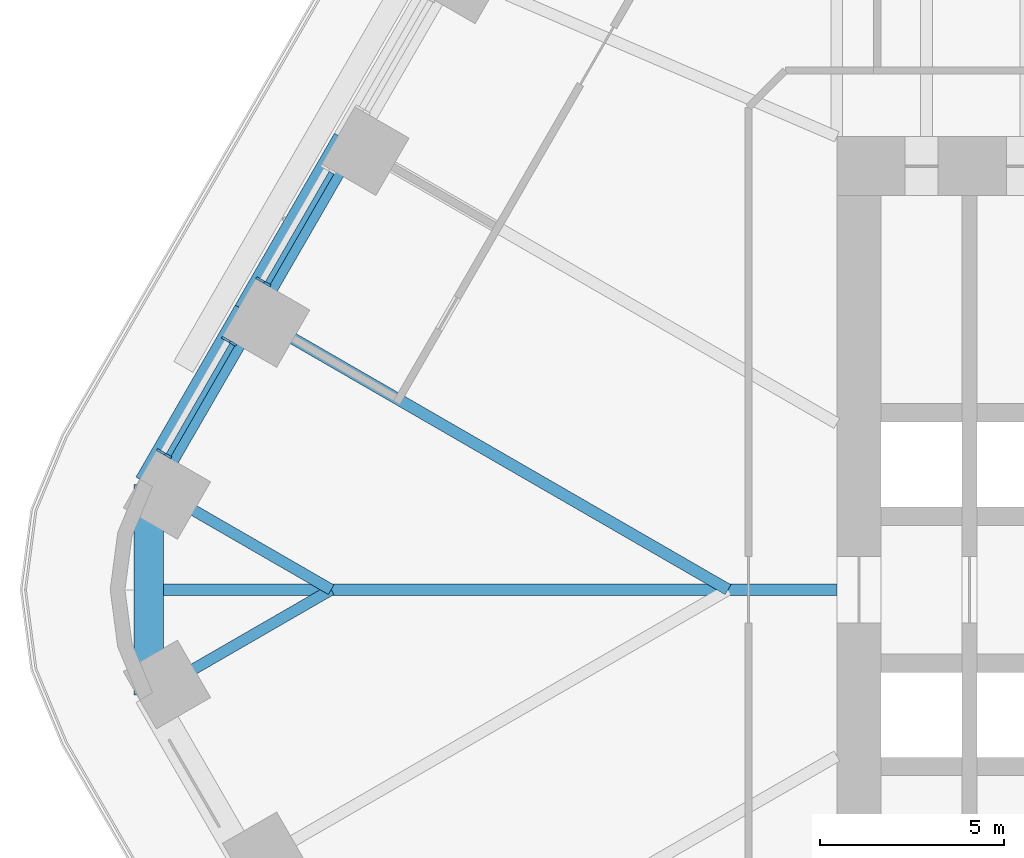
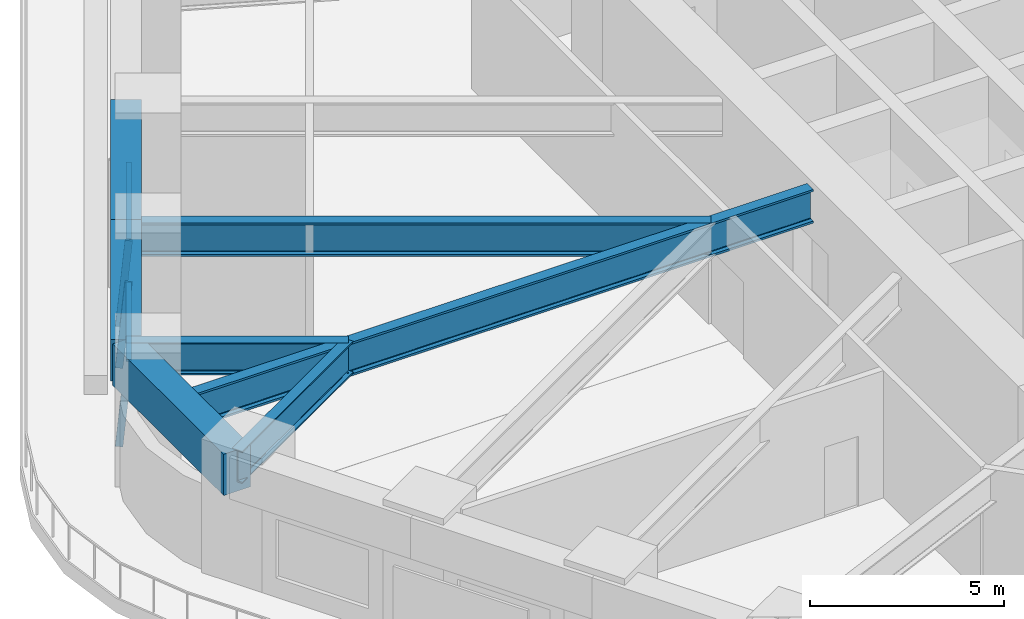
# One storey, part 6 of 24: 7 beams, 5 members, 2 elements without a shape of their own.
"""IFC4 building model written with IfcOpenShell, lengths in metres."""

from ifc_helpers import new_model, si_unit, direction, frame, origin, origin_2d, place, context, subcontext, project, spatial, rectangle, i_section, extrude, material, material_profile, profile_set, type_object, element, aggregate, save


model = new_model("IFC4")

# Units and contexts
model_context = context("Model", 3, precision=1e-05, world=origin(), true_north=direction((0.0, 1.0)))
body_context = subcontext(model_context, "Body", "Model", "MODEL_VIEW")
ifc_project = project(units=[si_unit("LENGTHUNIT", "METRE"), si_unit("AREAUNIT", "SQUARE_METRE"), si_unit("VOLUMEUNIT", "CUBIC_METRE"), si_unit("PLANEANGLEUNIT", "RADIAN"), si_unit("MASSUNIT", "GRAM", prefix="KILO")], contexts=[model_context])

# Site, building, storey
site_placement = place(None, origin())
site = spatial("IfcSite", under=ifc_project, at=site_placement, CompositionType="ELEMENT")
building_placement = place(site_placement, origin())
building = spatial("IfcBuilding", under=site, at=building_placement, Name="Tarfa Lantern Tower", CompositionType="ELEMENT")
storey_placement = place(building_placement, frame((0.0, 0.0, 94.89990234375)))
storey = spatial("IfcBuildingStorey", under=building, at=storey_placement, Name="L21", CompositionType="ELEMENT", Elevation=94.89990234375)

# Curtain wall, member
ifc_material_1 = material(Name="Aluminium framed curtain wall", Category="aluminium")
curtain_wall_type = type_object("IfcCurtainWallType", Name="CW1 CANTED GLAZING LOW ZONE 2700", PredefinedType="USERDEFINED", material=ifc_material_1)
curtain_wall_1_placement = place(storey_placement, origin())
curtain_wall_1 = element("IfcCurtainWall", 1, at=curtain_wall_1_placement, inside=storey, type_object=curtain_wall_type, Name="CW1 NW L21", ObjectType="CURTAIN WALL", PredefinedType="USERDEFINED")
ifc_material_2 = material(Name="Aluminium mullion", Category="aluminium")
ifc_material_profile_1 = material_profile(ifc_material_2, rectangle(XDim=0.06494140625, YDim=0.199951171875, at=origin_2d()), Name="AL MULLION 65x200")
ifc_profile_set_1 = profile_set([ifc_material_profile_1], Name="Aluminium mullion")
member_type_1 = type_object("IfcMemberType", Name="CWM1 MULLION 65x200", PredefinedType="MULLION", material=ifc_profile_set_1)
member_1_placement = place(storey_placement, frame((-34.280517578125, 8.42431640625, 0.0), z_axis=(0.079767804165, -0.046096067418, 0.995747081335), x_axis=(0.500342721131, 0.865827443207, 0.0)))
member_1 = element("IfcMember", 2, at=member_1_placement, type_object=member_type_1, Name="CW1 mullion 2", PredefinedType="MULLION", context=body_context, shape_type="SweptSolid", body=[
    extrude(rectangle(XDim=0.06494140625, YDim=0.199951171875, at=origin_2d()), origin(), (0.0, 0.0, 1.0), 2.711669921875),
])

# Curtain wall, members
curtain_wall_2_placement = place(storey_placement, origin())
curtain_wall_2 = element("IfcCurtainWall", 3, at=curtain_wall_2_placement, inside=storey, type_object=curtain_wall_type, Name="CW1 NW L21", ObjectType="CURTAIN WALL", PredefinedType="USERDEFINED")
member_2_placement = place(storey_placement, frame((-35.213134765625, 6.80908203125, 0.0), z_axis=(0.079857261722, -0.046095736191, 0.995739926314), x_axis=(0.499919672301, 0.866071776036, 0.0)))
member_2 = element("IfcMember", 4, at=member_2_placement, type_object=member_type_1, Name="CW1 mullion 1", PredefinedType="MULLION", context=body_context, shape_type="SweptSolid", body=[
    extrude(rectangle(XDim=0.06494140625, YDim=0.199951171875, at=origin_2d()), origin(), (0.0, 0.0, 1.0), 2.711669921875),
])
member_3_placement = place(storey_placement, frame((-36.974853515625, 3.757568359375, 0.0), z_axis=(0.079857261722, -0.046095736191, 0.995739926314), x_axis=(0.499919672301, 0.866071776036, 0.0)))
member_3 = element("IfcMember", 5, at=member_3_placement, type_object=member_type_1, Name="CW1 mullion 2", PredefinedType="MULLION", context=body_context, shape_type="SweptSolid", body=[
    extrude(rectangle(XDim=0.06494140625, YDim=0.199951171875, at=origin_2d()), origin(), (0.0, 0.0, 1.0), 2.711669921875),
])

# Member
ifc_material_3 = material(Name="Aluminium transom", Category="aluminium")
ifc_material_profile_2 = material_profile(ifc_material_3, rectangle(XDim=0.14990234375, YDim=0.06494140625, at=origin_2d()), Name="AL TRANSOM 150x65")
ifc_profile_set_2 = profile_set([ifc_material_profile_2], Name="Aluminium transom")
member_type_2 = type_object("IfcMemberType", Name="CWT1 TRANSOM 150x65", PredefinedType="USERDEFINED", material=ifc_profile_set_2)
member_4_placement = place(storey_placement, frame((-32.321044921875, 11.32421875, 2.66748046875), z_axis=(-0.500025915891, -0.866010440721, 0.0), x_axis=(0.866010440721, -0.500025915891, 0.0)))
member_4 = element("IfcMember", 6, at=member_4_placement, type_object=member_type_2, Name="CW1 transom 1.2", ObjectType="TRANSOM", PredefinedType="USERDEFINED", context=body_context, shape_type="SweptSolid", body=[
    extrude(rectangle(XDim=0.14990234375, YDim=0.06494140625, at=origin_2d()), origin(), (0.0, 0.0, 1.0), 3.458740234375),
])

aggregate(curtain_wall_1, [member_1, member_4])

member_5_placement = place(storey_placement, frame((-35.015380859375, 6.657470703125, 2.66748046875), z_axis=(-0.500025915891, -0.866010440721, 0.0), x_axis=(0.866010440721, -0.500025915891, 0.0)))
member_5 = element("IfcMember", 7, at=member_5_placement, type_object=member_type_2, Name="CW1 transom 1.2", ObjectType="TRANSOM", PredefinedType="USERDEFINED", context=body_context, shape_type="SweptSolid", body=[
    extrude(rectangle(XDim=0.14990234375, YDim=0.06494140625, at=origin_2d()), origin(), (0.0, 0.0, 1.0), 3.458740234375),
])

aggregate(curtain_wall_2, [member_2, member_3, member_5])

# Beams
ifc_material_4 = material(Name="Concrete C80/95", Category="concrete")
ifc_material_profile_3 = material_profile(ifc_material_4, rectangle(XDim=0.800048828125, YDim=1.300048828125, at=origin_2d()), Name="RC 800x1300")
ifc_profile_set_3 = profile_set([ifc_material_profile_3], Name="Concrete C80/95")
beam_type_1 = type_object("IfcBeamType", Name="EB1 RC 800x1300", PredefinedType="SPANDREL", material=ifc_profile_set_3)
beam_1_placement = place(storey_placement, frame((-31.896728515625, 12.193359375, 3.35009765625), z_axis=(-0.499998287579, -0.866026392449, 0.0), x_axis=(0.866026392449, -0.499998287579, 0.0)))
element("IfcBeam", 8, at=beam_1_placement, inside=storey, type_object=beam_type_1, Name="Edge beam NW4", PredefinedType="SPANDREL", context=body_context, shape_type="SweptSolid", body=[
    extrude(rectangle(XDim=0.800048828125, YDim=1.300048828125, at=origin_2d()), origin(), (0.0, 0.0, 1.0), 5.388671875),
])
beam_2_placement = place(storey_placement, frame((-34.591064453125, 7.526611328125, 3.35009765625), z_axis=(-0.500017906299, -0.866015065331, 0.0), x_axis=(0.866015065331, -0.500017906299, 0.0)))
element("IfcBeam", 9, at=beam_2_placement, inside=storey, type_object=beam_type_1, Name="Edge beam NW5", PredefinedType="SPANDREL", context=body_context, shape_type="SweptSolid", body=[
    extrude(rectangle(XDim=0.800048828125, YDim=1.300048828125, at=origin_2d()), origin(), (0.0, 0.0, 1.0), 5.388427734375),
])
beam_3_placement = place(storey_placement, frame((-37.285400390625, 2.860107421875, 3.35009765625), z_axis=(0.0, -1.0, 0.0), x_axis=(1.0, 0.0, 0.0)))
element("IfcBeam", 10, at=beam_3_placement, inside=storey, type_object=beam_type_1, Name="Edge beam NW6", PredefinedType="SPANDREL", context=body_context, shape_type="SweptSolid", body=[
    extrude(rectangle(XDim=0.800048828125, YDim=1.300048828125, at=origin_2d()), origin(), (0.0, 0.0, 1.0), 5.72021484375),
])
ifc_material_5 = material(Name="Steel S460M", Category="steel")
ifc_material_profile_4 = material_profile(ifc_material_5, i_section(OverallWidth=0.302001953125, OverallDepth=1.008056640625, WebThickness=0.02099609375, FlangeThickness=0.0400390625, FilletRadius=0.030029296875, at=origin_2d()), Name="UB1016x305x349")
ifc_profile_set_4 = profile_set([ifc_material_profile_4], Name="Steel S460M")
beam_type_2 = type_object("IfcBeamType", Name="UB1016x305x349", PredefinedType="BEAM", material=ifc_profile_set_4)
for number, where, z_axis, x_axis, name in (
    (11, (-37.285400390625, 2.860107421875, 3.49609375), (0.866025668288, -0.499999541866, 0.0), (0.499999541866, 0.866025668288, 0.0), "Floor beam NW6"),
    (12, (-37.285400390625, -2.860107421875, 3.49609375), (0.866025668288, 0.499999541866, 0.0), (-0.499999541866, 0.866025668288, 0.0), "Floor beam SW0"),
):
    element("IfcBeam", number, at=place(storey_placement, frame(where, z_axis=z_axis, x_axis=x_axis)), inside=storey, type_object=beam_type_2, Name=name, PredefinedType="BEAM", context=body_context, shape_type="SweptSolid", body=[
        extrude(i_section(OverallWidth=0.302001953125, OverallDepth=1.008056640625, WebThickness=0.02099609375, FlangeThickness=0.0400390625, FilletRadius=0.030029296875, at=origin_2d()), origin(), (0.0, 0.0, 1.0), 5.72021484375),
    ])
ifc_material_profile_5 = material_profile(ifc_material_5, i_section(OverallWidth=0.314208984375, OverallDepth=1.055908203125, WebThickness=0.035888671875, FlangeThickness=0.06396484375, FilletRadius=0.030029296875, at=origin_2d()), Name="UB1016x305x584")
ifc_profile_set_5 = profile_set([ifc_material_profile_5], Name="Steel S460M")
beam_type_3 = type_object("IfcBeamType", Name="UB1016x305x584", PredefinedType="BEAM", material=ifc_profile_set_5)
beam_4_placement = place(storey_placement, frame((-18.60009765625, 0.0, 3.47216796875), z_axis=(-1.0, 0.0, 0.0), x_axis=(0.0, -1.0, 0.0)))
element("IfcBeam", 13, at=beam_4_placement, inside=storey, type_object=beam_type_3, Name="Hip girder W", PredefinedType="BEAM", context=body_context, shape_type="SweptSolid", body=[
    extrude(i_section(OverallWidth=0.314208984375, OverallDepth=1.055908203125, WebThickness=0.035888671875, FlangeThickness=0.06396484375, FilletRadius=0.030029296875, at=origin_2d()), origin(), (0.0, 0.0, 1.0), 18.685302734375),
])
beam_5_placement = place(storey_placement, frame((-34.591064453125, 7.526611328125, 3.47216796875), z_axis=(0.86602785945, -0.499995746638, 0.0), x_axis=(0.499995746638, 0.86602785945, 0.0)))
element("IfcBeam", 14, at=beam_5_placement, inside=storey, type_object=beam_type_3, Name="Floor beam NW5", PredefinedType="BEAM", context=body_context, shape_type="SweptSolid", body=[
    extrude(i_section(OverallWidth=0.314208984375, OverallDepth=1.055908203125, WebThickness=0.035888671875, FlangeThickness=0.06396484375, FilletRadius=0.030029296875, at=origin_2d()), origin(), (0.0, 0.0, 1.0), 15.053466796875),
])

save(model, "model.ifc")
